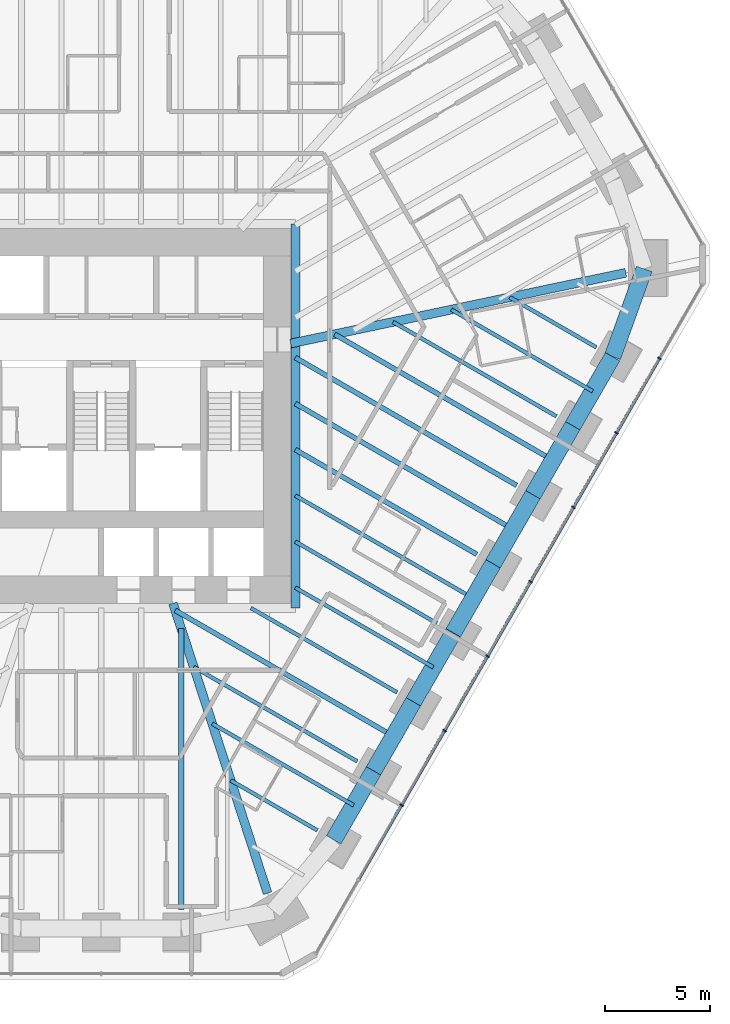
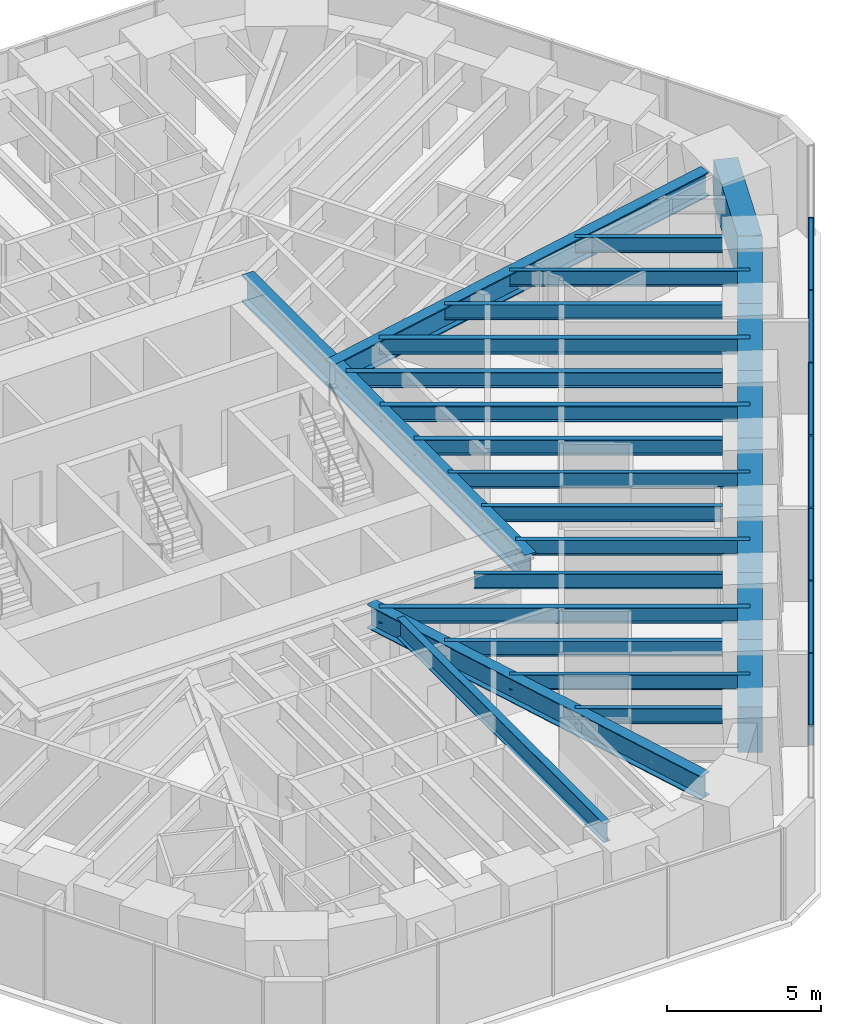
# One storey, part 5 of 17: 27 beams, 14 members, 1 element without a shape of its own.
"""IFC4 building model written with IfcOpenShell, lengths in metres."""

from ifc_helpers import new_model, si_unit, direction, frame, origin, origin_2d, place, context, subcontext, project, spatial, rectangle, i_section, extrude, material, material_profile, profile_set, type_object, element, aggregate, save


model = new_model("IFC4")

# Units and contexts
model_context = context("Model", 3, precision=1e-05, world=origin(), true_north=direction((0.0, 1.0)))
body_context = subcontext(model_context, "Body", "Model", "MODEL_VIEW")
ifc_project = project(units=[si_unit("LENGTHUNIT", "METRE"), si_unit("AREAUNIT", "SQUARE_METRE"), si_unit("VOLUMEUNIT", "CUBIC_METRE"), si_unit("PLANEANGLEUNIT", "RADIAN"), si_unit("MASSUNIT", "GRAM", prefix="KILO")], contexts=[model_context])

# Site, building, storey
site_placement = place(None, origin())
site = spatial("IfcSite", under=ifc_project, at=site_placement, CompositionType="ELEMENT")
building_placement = place(site_placement, origin())
building = spatial("IfcBuilding", under=site, at=building_placement, Name="Sandreach Pilgrim Tower", CompositionType="ELEMENT")
storey_placement = place(building_placement, frame((0.0, 0.0, 161.39990234375)))
storey = spatial("IfcBuildingStorey", under=building, at=storey_placement, Name="L40", CompositionType="ELEMENT", Elevation=161.39990234375)

# Curtain wall, members
ifc_material_1 = material(Name="Aluminium framed curtain wall", Category="aluminium")
curtain_wall_type = type_object("IfcCurtainWallType", Name="Hotel tower curtain wall", PredefinedType="NOTDEFINED", material=ifc_material_1)
curtain_wall_placement = place(storey_placement, origin())
curtain_wall = element("IfcCurtainWall", 1, at=curtain_wall_placement, inside=storey, type_object=curtain_wall_type, Name="CW-2 L40 SE", PredefinedType="NOTDEFINED")
ifc_material_2 = material(Name="Aluminium extrusion", Category="aluminium")
ifc_material_profile_1 = material_profile(ifc_material_2, rectangle(XDim=0.06494140625, YDim=0.179931640625, at=origin_2d()), Name="CW-2M 65X180")
ifc_profile_set_1 = profile_set([ifc_material_profile_1], Name="Aluminium extrusion")
member_type_1 = type_object("IfcMemberType", Name="CW-2 mullion", PredefinedType="MULLION", material=ifc_profile_set_1)
member_1_placement = place(storey_placement, frame((26.66748046875, 1.20166015625, 0.0), z_axis=(0.0, 0.0, 1.0), x_axis=(-0.5, -0.866025403784, 0.0)))
member_1 = element("IfcMember", 2, at=member_1_placement, type_object=member_type_1, Name="CW-2 mullion 2", PredefinedType="MULLION", context=body_context, shape_type="SweptSolid", body=[
    extrude(rectangle(XDim=0.06494140625, YDim=0.179931640625, at=origin_2d()), origin(), (0.0, 0.0, 1.0), 3.64013671875),
])
member_2_placement = place(storey_placement, frame((24.614013671875, -2.35498046875, 0.0), z_axis=(0.0, 0.0, 1.0), x_axis=(-0.5, -0.866025403784, 0.0)))
member_2 = element("IfcMember", 3, at=member_2_placement, type_object=member_type_1, Name="CW-2 mullion 3", PredefinedType="MULLION", context=body_context, shape_type="SweptSolid", body=[
    extrude(rectangle(XDim=0.06494140625, YDim=0.179931640625, at=origin_2d()), origin(), (0.0, 0.0, 1.0), 3.64013671875),
])
member_3_placement = place(storey_placement, frame((22.560302734375, -5.911865234375, 0.0), z_axis=(0.0, 0.0, 1.0), x_axis=(-0.5, -0.866025403784, 0.0)))
member_3 = element("IfcMember", 4, at=member_3_placement, type_object=member_type_1, Name="CW-2 mullion 4", PredefinedType="MULLION", context=body_context, shape_type="SweptSolid", body=[
    extrude(rectangle(XDim=0.06494140625, YDim=0.179931640625, at=origin_2d()), origin(), (0.0, 0.0, 1.0), 3.64013671875),
])
member_4_placement = place(storey_placement, frame((20.5068359375, -9.468505859375, 0.0), z_axis=(0.0, 0.0, 1.0), x_axis=(-0.5, -0.866025403784, 0.0)))
member_4 = element("IfcMember", 5, at=member_4_placement, type_object=member_type_1, Name="CW-2 mullion 5", PredefinedType="MULLION", context=body_context, shape_type="SweptSolid", body=[
    extrude(rectangle(XDim=0.06494140625, YDim=0.179931640625, at=origin_2d()), origin(), (0.0, 0.0, 1.0), 3.64013671875),
])
member_5_placement = place(storey_placement, frame((18.453369140625, -13.025146484375, 0.0), z_axis=(0.0, 0.0, 1.0), x_axis=(-0.5, -0.866025403784, 0.0)))
member_5 = element("IfcMember", 6, at=member_5_placement, type_object=member_type_1, Name="CW-2 mullion 6", PredefinedType="MULLION", context=body_context, shape_type="SweptSolid", body=[
    extrude(rectangle(XDim=0.06494140625, YDim=0.179931640625, at=origin_2d()), origin(), (0.0, 0.0, 1.0), 3.64013671875),
])
member_6_placement = place(storey_placement, frame((16.39990234375, -16.58203125, 0.0), z_axis=(0.0, 0.0, 1.0), x_axis=(-0.5, -0.866025403784, 0.0)))
member_6 = element("IfcMember", 7, at=member_6_placement, type_object=member_type_1, Name="CW-2 mullion 7", PredefinedType="MULLION", context=body_context, shape_type="SweptSolid", body=[
    extrude(rectangle(XDim=0.06494140625, YDim=0.179931640625, at=origin_2d()), origin(), (0.0, 0.0, 1.0), 3.64013671875),
])
member_7_placement = place(storey_placement, frame((14.346435546875, -20.138671875, 0.0), z_axis=(0.0, 0.0, 1.0), x_axis=(-0.5, -0.866025403784, 0.0)))
member_7 = element("IfcMember", 8, at=member_7_placement, type_object=member_type_1, Name="CW-2 mullion 8", PredefinedType="MULLION", context=body_context, shape_type="SweptSolid", body=[
    extrude(rectangle(XDim=0.06494140625, YDim=0.179931640625, at=origin_2d()), origin(), (0.0, 0.0, 1.0), 3.64013671875),
])
ifc_material_3 = material(Name="Aluminium extrusion", Category="aluminium")
ifc_material_profile_2 = material_profile(ifc_material_3, rectangle(XDim=0.139892578125, YDim=0.070068359375, at=origin_2d()), Name="CW-2T 140X70")
ifc_profile_set_2 = profile_set([ifc_material_profile_2], Name="Aluminium extrusion")
member_type_2 = type_object("IfcMemberType", Name="CW-2 transom", PredefinedType="USERDEFINED", material=ifc_profile_set_2)
member_8_placement = place(storey_placement, frame((26.651123046875, 1.173583984375, 3.60498046875), z_axis=(-0.499997818338, -0.866026663364, 0.0), x_axis=(0.866026663364, -0.499997818338, 0.0)))
member_8 = element("IfcMember", 9, at=member_8_placement, type_object=member_type_2, Name="CW-2 head transom 2", ObjectType="TRANSOM", PredefinedType="USERDEFINED", context=body_context, shape_type="SweptSolid", body=[
    extrude(rectangle(XDim=0.139892578125, YDim=0.070068359375, at=origin_2d()), origin(), (0.0, 0.0, 1.0), 4.0419921875),
])
member_9_placement = place(storey_placement, frame((24.59765625, -2.38330078125, 3.60498046875), z_axis=(-0.500023973715, -0.866011562111, 0.0), x_axis=(0.866011562111, -0.500023973715, 0.0)))
member_9 = element("IfcMember", 10, at=member_9_placement, type_object=member_type_2, Name="CW-2 head transom 3", ObjectType="TRANSOM", PredefinedType="USERDEFINED", context=body_context, shape_type="SweptSolid", body=[
    extrude(rectangle(XDim=0.139892578125, YDim=0.070068359375, at=origin_2d()), origin(), (0.0, 0.0, 1.0), 4.041748046875),
])
member_10_placement = place(storey_placement, frame((22.544189453125, -5.93994140625, 3.60498046875), z_axis=(-0.499997818338, -0.866026663364, 0.0), x_axis=(0.866026663364, -0.499997818338, 0.0)))
member_10 = element("IfcMember", 11, at=member_10_placement, type_object=member_type_2, Name="CW-2 head transom 4", ObjectType="TRANSOM", PredefinedType="USERDEFINED", context=body_context, shape_type="SweptSolid", body=[
    extrude(rectangle(XDim=0.139892578125, YDim=0.070068359375, at=origin_2d()), origin(), (0.0, 0.0, 1.0), 4.0419921875),
])
member_11_placement = place(storey_placement, frame((20.49072265625, -9.49658203125, 3.60498046875), z_axis=(-0.499997818338, -0.866026663364, 0.0), x_axis=(0.866026663364, -0.499997818338, 0.0)))
member_11 = element("IfcMember", 12, at=member_11_placement, type_object=member_type_2, Name="CW-2 head transom 5", ObjectType="TRANSOM", PredefinedType="USERDEFINED", context=body_context, shape_type="SweptSolid", body=[
    extrude(rectangle(XDim=0.139892578125, YDim=0.070068359375, at=origin_2d()), origin(), (0.0, 0.0, 1.0), 4.0419921875),
])
member_12_placement = place(storey_placement, frame((18.437255859375, -13.053466796875, 3.60498046875), z_axis=(-0.499997818338, -0.866026663364, 0.0), x_axis=(0.866026663364, -0.499997818338, 0.0)))
member_12 = element("IfcMember", 13, at=member_12_placement, type_object=member_type_2, Name="CW-2 head transom 6", ObjectType="TRANSOM", PredefinedType="USERDEFINED", context=body_context, shape_type="SweptSolid", body=[
    extrude(rectangle(XDim=0.139892578125, YDim=0.070068359375, at=origin_2d()), origin(), (0.0, 0.0, 1.0), 4.0419921875),
])
member_13_placement = place(storey_placement, frame((16.3837890625, -16.610107421875, 3.60498046875), z_axis=(-0.499997818338, -0.866026663364, 0.0), x_axis=(0.866026663364, -0.499997818338, 0.0)))
member_13 = element("IfcMember", 14, at=member_13_placement, type_object=member_type_2, Name="CW-2 head transom 7", ObjectType="TRANSOM", PredefinedType="USERDEFINED", context=body_context, shape_type="SweptSolid", body=[
    extrude(rectangle(XDim=0.139892578125, YDim=0.070068359375, at=origin_2d()), origin(), (0.0, 0.0, 1.0), 4.0419921875),
])
member_14_placement = place(storey_placement, frame((14.330322265625, -20.1669921875, 3.60498046875), z_axis=(-0.500023973715, -0.866011562111, 0.0), x_axis=(0.866011562111, -0.500023973715, 0.0)))
member_14 = element("IfcMember", 15, at=member_14_placement, type_object=member_type_2, Name="CW-2 head transom 8", ObjectType="TRANSOM", PredefinedType="USERDEFINED", context=body_context, shape_type="SweptSolid", body=[
    extrude(rectangle(XDim=0.139892578125, YDim=0.070068359375, at=origin_2d()), origin(), (0.0, 0.0, 1.0), 4.041748046875),
])
aggregate(curtain_wall, [member_1, member_2, member_3, member_4, member_5, member_6, member_7, member_8, member_9, member_10, member_11, member_12, member_13, member_14])

# Beams
ifc_material_4 = material(Name="Steel ASTM A992 Grade 50", Category="steel")
ifc_material_profile_3 = material_profile(ifc_material_4, i_section(OverallWidth=0.424072265625, OverallDepth=1.09228515625, WebThickness=0.04541015625, FlangeThickness=0.08203125, at=origin_2d()), Name="W40X593")
ifc_profile_set_3 = profile_set([ifc_material_profile_3], Name="Steel ASTM A992 Grade 50")
beam_type_1 = type_object("IfcBeamType", Name="Core edge beam W40X593", PredefinedType="BEAM", material=ifc_profile_set_3)
beam_1_placement = place(storey_placement, frame((9.27197265625, 7.6220703125, 3.093994140625), z_axis=(0.0, -1.0, 0.0), x_axis=(1.0, 0.0, 0.0)))
element("IfcBeam", 16, at=beam_1_placement, inside=storey, type_object=beam_type_1, Name="BM L40 CEE", PredefinedType="BEAM", context=body_context, shape_type="SweptSolid", body=[
    extrude(i_section(OverallWidth=0.424072265625, OverallDepth=1.09228515625, WebThickness=0.04541015625, FlangeThickness=0.08203125, at=origin_2d()), origin(), (0.0, 0.0, 1.0), 18.34423828125),
])
ifc_material_5 = material(Name="Steel ASTM A992 Grade 50", Category="steel")
ifc_material_profile_4 = material_profile(ifc_material_5, i_section(OverallWidth=0.419189453125, OverallDepth=0.927001953125, WebThickness=0.019287109375, FlangeThickness=0.031982421875, at=origin_2d()), Name="W36X231")
ifc_profile_set_4 = profile_set([ifc_material_profile_4], Name="Steel ASTM A992 Grade 50")
beam_type_2 = type_object("IfcBeamType", Name="Corner girder W36X231", PredefinedType="BEAM", material=ifc_profile_set_4)
beam_2_placement = place(storey_placement, frame((7.94775390625, -24.34814453125, 3.176513671875), z_axis=(-0.310303802379, 0.950637444155, 0.0), x_axis=(-0.950637444155, -0.310303802379, 0.0)))
element("IfcBeam", 17, at=beam_2_placement, inside=storey, type_object=beam_type_2, Name="BM L40 CG22", PredefinedType="BEAM", context=body_context, shape_type="SweptSolid", body=[
    extrude(i_section(OverallWidth=0.419189453125, OverallDepth=0.927001953125, WebThickness=0.019287109375, FlangeThickness=0.031982421875, at=origin_2d()), origin(), (0.0, 0.0, 1.0), 14.567138671875),
])
ifc_material_6 = material(Name="Steel ASTM A992 Grade 50", Category="steel")
ifc_material_profile_5 = material_profile(ifc_material_6, i_section(OverallWidth=0.421630859375, OverallDepth=0.95751953125, WebThickness=0.02587890625, FlangeThickness=0.046875, at=origin_2d()), Name="W36X330")
ifc_profile_set_5 = profile_set([ifc_material_profile_5], Name="Steel ASTM A992 Grade 50")
beam_type_3 = type_object("IfcBeamType", Name="Corner girder W36X330", PredefinedType="BEAM", material=ifc_profile_set_5)
beam_3_placement = place(storey_placement, frame((25.06005859375, 5.291015625, 3.161376953125), z_axis=(-0.978428353418, -0.206586440085, 0.0), x_axis=(0.206586440085, -0.978428353418, 0.0)))
element("IfcBeam", 18, at=beam_3_placement, inside=storey, type_object=beam_type_3, Name="BM L40 CG13", PredefinedType="BEAM", context=body_context, shape_type="SweptSolid", body=[
    extrude(i_section(OverallWidth=0.421630859375, OverallDepth=0.95751953125, WebThickness=0.02587890625, FlangeThickness=0.046875, at=origin_2d()), origin(), (0.0, 0.0, 1.0), 16.363037109375),
])
ifc_material_7 = material(Name="Steel ASTM A992 Grade 50", Category="steel")
ifc_material_profile_6 = material_profile(ifc_material_7, i_section(OverallWidth=0.1787109375, OverallDepth=0.60205078125, WebThickness=0.010986328125, FlangeThickness=0.014892578125, at=origin_2d()), Name="W24X62")
ifc_profile_set_6 = profile_set([ifc_material_profile_6], Name="Steel ASTM A992 Grade 50")
beam_type_4 = type_object("IfcBeamType", Name="Floor beam W24X62", PredefinedType="BEAM", material=ifc_profile_set_6)
beam_4_placement = place(storey_placement, frame((23.6484375, 1.73046875, 3.339111328125), z_axis=(-0.866011131494, 0.500024719518, 0.0), x_axis=(-0.500024719518, -0.866011131494, 0.0)))
element("IfcBeam", 19, at=beam_4_placement, inside=storey, type_object=beam_type_4, Name="BM L40 F14", PredefinedType="BEAM", context=body_context, shape_type="SweptSolid", body=[
    extrude(i_section(OverallWidth=0.1787109375, OverallDepth=0.60205078125, WebThickness=0.010986328125, FlangeThickness=0.014892578125, at=origin_2d()), origin(), (0.0, 0.0, 1.0), 4.777587890625),
])
beam_5_placement = place(storey_placement, frame((21.7451171875, -1.56591796875, 3.339111328125), z_axis=(-0.866025063885, 0.500000588723, 0.0), x_axis=(-0.500000588723, -0.866025063885, 0.0)))
element("IfcBeam", 20, at=beam_5_placement, inside=storey, type_object=beam_type_4, Name="BM L40 F15", PredefinedType="BEAM", context=body_context, shape_type="SweptSolid", body=[
    extrude(i_section(OverallWidth=0.1787109375, OverallDepth=0.60205078125, WebThickness=0.010986328125, FlangeThickness=0.014892578125, at=origin_2d()), origin(), (0.0, 0.0, 1.0), 9.0166015625),
])
beam_6_placement = place(storey_placement, frame((16.035400390625, -11.455810546875, 3.339111328125), z_axis=(-0.866029931811, 0.499992157145, 0.0), x_axis=(-0.499992157145, -0.866029931811, 0.0)))
element("IfcBeam", 21, at=beam_6_placement, inside=storey, type_object=beam_type_4, Name="BM L40 F18", PredefinedType="BEAM", context=body_context, shape_type="SweptSolid", body=[
    extrude(i_section(OverallWidth=0.1787109375, OverallDepth=0.60205078125, WebThickness=0.010986328125, FlangeThickness=0.014892578125, at=origin_2d()), origin(), (0.0, 0.0, 1.0), 7.809814453125),
])
beam_7_placement = place(storey_placement, frame((14.132080078125, -14.75244140625, 3.339111328125), z_axis=(-0.866020143075, 0.500009111705, 0.0), x_axis=(-0.500009111705, -0.866020143075, 0.0)))
element("IfcBeam", 22, at=beam_7_placement, inside=storey, type_object=beam_type_4, Name="BM L40 F19", PredefinedType="BEAM", context=body_context, shape_type="SweptSolid", body=[
    extrude(i_section(OverallWidth=0.1787109375, OverallDepth=0.60205078125, WebThickness=0.010986328125, FlangeThickness=0.014892578125, at=origin_2d()), origin(), (0.0, 0.0, 1.0), 8.060302734375),
])
beam_8_placement = place(storey_placement, frame((12.228759765625, -18.048828125, 3.339111328125), z_axis=(-0.866031832868, 0.499988864335, 0.0), x_axis=(-0.499988864335, -0.866031832868, 0.0)))
element("IfcBeam", 23, at=beam_8_placement, inside=storey, type_object=beam_type_4, Name="BM L40 F20", PredefinedType="BEAM", context=body_context, shape_type="SweptSolid", body=[
    extrude(i_section(OverallWidth=0.1787109375, OverallDepth=0.60205078125, WebThickness=0.010986328125, FlangeThickness=0.014892578125, at=origin_2d()), origin(), (0.0, 0.0, 1.0), 9.016845703125),
])
beam_9_placement = place(storey_placement, frame((10.325439453125, -21.345458984375, 3.339111328125), z_axis=(-0.866033259386, 0.499986393452, 0.0), x_axis=(-0.499986393452, -0.866033259386, 0.0)))
element("IfcBeam", 24, at=beam_9_placement, inside=storey, type_object=beam_type_4, Name="BM L40 F21", PredefinedType="BEAM", context=body_context, shape_type="SweptSolid", body=[
    extrude(i_section(OverallWidth=0.1787109375, OverallDepth=0.60205078125, WebThickness=0.010986328125, FlangeThickness=0.014892578125, at=origin_2d()), origin(), (0.0, 0.0, 1.0), 4.777587890625),
])
beam_10_placement = place(storey_placement, frame((23.476318359375, -0.36767578125, 3.339111328125), z_axis=(-0.866024469579, 0.500001618088, 0.0), x_axis=(-0.500001618088, -0.866024469579, 0.0)))
element("IfcBeam", 25, at=beam_10_placement, inside=storey, type_object=beam_type_4, Name="BM L40 FM14", PredefinedType="BEAM", context=body_context, shape_type="SweptSolid", body=[
    extrude(i_section(OverallWidth=0.1787109375, OverallDepth=0.60205078125, WebThickness=0.010986328125, FlangeThickness=0.014892578125, at=origin_2d()), origin(), (0.0, 0.0, 1.0), 7.79736328125),
])
beam_11_placement = place(storey_placement, frame((17.766357421875, -10.257568359375, 3.339111328125), z_axis=(-0.86602268681, 0.500004705908, 0.0), x_axis=(-0.500004705908, -0.86602268681, 0.0)))
element("IfcBeam", 26, at=beam_11_placement, inside=storey, type_object=beam_type_4, Name="BM L40 FM17", PredefinedType="BEAM", context=body_context, shape_type="SweptSolid", body=[
    extrude(i_section(OverallWidth=0.1787109375, OverallDepth=0.60205078125, WebThickness=0.010986328125, FlangeThickness=0.014892578125, at=origin_2d()), origin(), (0.0, 0.0, 1.0), 9.80859375),
])
beam_12_placement = place(storey_placement, frame((15.86328125, -13.553955078125, 3.339111328125), z_axis=(-0.866043496152, 0.499968661791, 0.0), x_axis=(-0.499968661791, -0.866043496152, 0.0)))
element("IfcBeam", 27, at=beam_12_placement, inside=storey, type_object=beam_type_4, Name="BM L40 FM18", PredefinedType="BEAM", context=body_context, shape_type="SweptSolid", body=[
    extrude(i_section(OverallWidth=0.1787109375, OverallDepth=0.60205078125, WebThickness=0.010986328125, FlangeThickness=0.014892578125, at=origin_2d()), origin(), (0.0, 0.0, 1.0), 7.61083984375),
])
beam_13_placement = place(storey_placement, frame((12.056640625, -20.147216796875, 3.339111328125), z_axis=(-0.866024469579, 0.500001618088, 0.0), x_axis=(-0.500001618088, -0.866024469579, 0.0)))
element("IfcBeam", 28, at=beam_13_placement, inside=storey, type_object=beam_type_4, Name="BM L40 FM20", PredefinedType="BEAM", context=body_context, shape_type="SweptSolid", body=[
    extrude(i_section(OverallWidth=0.1787109375, OverallDepth=0.60205078125, WebThickness=0.010986328125, FlangeThickness=0.014892578125, at=origin_2d()), origin(), (0.0, 0.0, 1.0), 7.79736328125),
])
ifc_material_8 = material(Name="Steel ASTM A992 Grade 50", Category="steel")
ifc_material_profile_7 = material_profile(ifc_material_8, i_section(OverallWidth=0.23046875, OverallDepth=0.6171875, WebThickness=0.01318359375, FlangeThickness=0.022216796875, at=origin_2d()), Name="W24X94")
ifc_profile_set_7 = profile_set([ifc_material_profile_7], Name="Steel ASTM A992 Grade 50")
beam_type_5 = type_object("IfcBeamType", Name="Floor beam W24X94", PredefinedType="BEAM", material=ifc_profile_set_7)
beam_14_placement = place(storey_placement, frame((19.842041015625, -4.862548828125, 3.33154296875), z_axis=(-0.866028694325, 0.499994300574, 0.0), x_axis=(-0.499994300574, -0.866028694325, 0.0)))
element("IfcBeam", 29, at=beam_14_placement, inside=storey, type_object=beam_type_5, Name="BM L40 F16", PredefinedType="BEAM", context=body_context, shape_type="SweptSolid", body=[
    extrude(i_section(OverallWidth=0.23046875, OverallDepth=0.6171875, WebThickness=0.01318359375, FlangeThickness=0.022216796875, at=origin_2d()), origin(), (0.0, 0.0, 1.0), 12.205322265625),
])
beam_15_placement = place(storey_placement, frame((17.938720703125, -8.1591796875, 3.33154296875), z_axis=(-0.866029177185, 0.499993464222, 0.0), x_axis=(-0.499993464222, -0.866029177185, 0.0)))
element("IfcBeam", 30, at=beam_15_placement, inside=storey, type_object=beam_type_5, Name="BM L40 F17", PredefinedType="BEAM", context=body_context, shape_type="SweptSolid", body=[
    extrude(i_section(OverallWidth=0.23046875, OverallDepth=0.6171875, WebThickness=0.01318359375, FlangeThickness=0.022216796875, at=origin_2d()), origin(), (0.0, 0.0, 1.0), 10.007568359375),
])
beam_16_placement = place(storey_placement, frame((21.572998046875, -3.664306640625, 3.33154296875), z_axis=(-0.866021425885, 0.500006889861, 0.0), x_axis=(-0.500006889861, -0.866021425885, 0.0)))
element("IfcBeam", 31, at=beam_16_placement, inside=storey, type_object=beam_type_5, Name="BM L40 FM15", PredefinedType="BEAM", context=body_context, shape_type="SweptSolid", body=[
    extrude(i_section(OverallWidth=0.23046875, OverallDepth=0.6171875, WebThickness=0.01318359375, FlangeThickness=0.022216796875, at=origin_2d()), origin(), (0.0, 0.0, 1.0), 12.036376953125),
])
beam_17_placement = place(storey_placement, frame((19.669677734375, -6.9609375, 3.33154296875), z_axis=(-0.866023384022, 0.500003498315, 0.0), x_axis=(-0.500003498315, -0.866023384022, 0.0)))
element("IfcBeam", 32, at=beam_17_placement, inside=storey, type_object=beam_type_5, Name="BM L40 FM16", PredefinedType="BEAM", context=body_context, shape_type="SweptSolid", body=[
    extrude(i_section(OverallWidth=0.23046875, OverallDepth=0.6171875, WebThickness=0.01318359375, FlangeThickness=0.022216796875, at=origin_2d()), origin(), (0.0, 0.0, 1.0), 12.00634765625),
])
beam_18_placement = place(storey_placement, frame((13.9599609375, -16.8505859375, 3.33154296875), z_axis=(-0.866035279512, 0.499982894348, 0.0), x_axis=(-0.499982894348, -0.866035279512, 0.0)))
element("IfcBeam", 33, at=beam_18_placement, inside=storey, type_object=beam_type_5, Name="BM L40 FM19", PredefinedType="BEAM", context=body_context, shape_type="SweptSolid", body=[
    extrude(i_section(OverallWidth=0.23046875, OverallDepth=0.6171875, WebThickness=0.01318359375, FlangeThickness=0.022216796875, at=origin_2d()), origin(), (0.0, 0.0, 1.0), 12.03662109375),
])
ifc_material_9 = material(Name="Steel ASTM A992 Grade 50", Category="steel")
ifc_material_profile_8 = material_profile(ifc_material_9, i_section(OverallWidth=0.2666015625, OverallDepth=0.761962890625, WebThickness=0.014404296875, FlangeThickness=0.021484375, at=origin_2d()), Name="W30X116")
ifc_profile_set_8 = profile_set([ifc_material_profile_8], Name="Steel ASTM A992 Grade 50")
beam_type_6 = type_object("IfcBeamType", Name="Floor beam W30X116", PredefinedType="BEAM", material=ifc_profile_set_8)
beam_19_placement = place(storey_placement, frame((3.8232421875, -25.133544921875, 3.259033203125), z_axis=(0.0, 1.0, 0.0), x_axis=(-1.0, 0.0, 0.0)))
element("IfcBeam", 34, at=beam_19_placement, inside=storey, type_object=beam_type_6, Name="BM L40 F23", PredefinedType="BEAM", context=body_context, shape_type="SweptSolid", body=[
    extrude(i_section(OverallWidth=0.2666015625, OverallDepth=0.761962890625, WebThickness=0.014404296875, FlangeThickness=0.021484375, at=origin_2d()), origin(), (0.0, 0.0, 1.0), 13.421142578125),
])
ifc_material_10 = material(Name="Concrete 10000 psi", Category="concrete")
ifc_material_profile_9 = material_profile(ifc_material_10, rectangle(XDim=0.800048828125, YDim=1.800048828125, at=origin_2d()), Name="RC800X1800")
ifc_profile_set_9 = profile_set([ifc_material_profile_9], Name="Concrete 10000 psi")
beam_type_7 = type_object("IfcBeamType", Name="Spandrel beam RC800X1800", PredefinedType="SPANDREL", material=ifc_profile_set_9)
beam_20_placement = place(storey_placement, frame((25.940673828125, 5.476806640625, 2.739990234375), z_axis=(-0.339122566073, -0.940742199107, 0.0), x_axis=(0.940742199107, -0.339122566073, 0.0)))
element("IfcBeam", 35, at=beam_20_placement, inside=storey, type_object=beam_type_7, Name="BM L40 SP13", PredefinedType="SPANDREL", context=body_context, shape_type="SweptSolid", body=[
    extrude(rectangle(XDim=0.800048828125, YDim=1.800048828125, at=origin_2d()), origin(), (0.0, 0.0, 1.0), 4.460693359375),
])
beam_21_placement = place(storey_placement, frame((24.427978515625, 1.280517578125, 2.739990234375), z_axis=(-0.500001891126, -0.866024311939, 0.0), x_axis=(0.866024311939, -0.500001891126, 0.0)))
element("IfcBeam", 36, at=beam_21_placement, inside=storey, type_object=beam_type_7, Name="BM L40 SP14", PredefinedType="SPANDREL", context=body_context, shape_type="SweptSolid", body=[
    extrude(rectangle(XDim=0.800048828125, YDim=1.800048828125, at=origin_2d()), origin(), (0.0, 0.0, 1.0), 3.806640625),
])
beam_22_placement = place(storey_placement, frame((22.524658203125, -2.01611328125, 2.739990234375), z_axis=(-0.500029664053, -0.866008276558, 0.0), x_axis=(0.866008276558, -0.500029664053, 0.0)))
element("IfcBeam", 37, at=beam_22_placement, inside=storey, type_object=beam_type_7, Name="BM L40 SP15", PredefinedType="SPANDREL", context=body_context, shape_type="SweptSolid", body=[
    extrude(rectangle(XDim=0.800048828125, YDim=1.800048828125, at=origin_2d()), origin(), (0.0, 0.0, 1.0), 3.806396484375),
])
for number, where, z_axis, x_axis, name in (
    (38, (20.621337890625, -5.3125, 2.739990234375), (-0.500001891126, -0.866024311939, 0.0), (0.866024311939, -0.500001891126, 0.0), "BM L40 SP16"),
    (39, (18.718017578125, -8.609130859375, 2.739990234375), (-0.500001891126, -0.866024311939, 0.0), (0.866024311939, -0.500001891126, 0.0), "BM L40 SP17"),
):
    element("IfcBeam", number, at=place(storey_placement, frame(where, z_axis=z_axis, x_axis=x_axis)), inside=storey, type_object=beam_type_7, Name=name, PredefinedType="SPANDREL", context=body_context, shape_type="SweptSolid", body=[
        extrude(rectangle(XDim=0.800048828125, YDim=1.800048828125, at=origin_2d()), origin(), (0.0, 0.0, 1.0), 3.806640625),
    ])
beam_23_placement = place(storey_placement, frame((16.814697265625, -11.90576171875, 2.739990234375), z_axis=(-0.499953787161, -0.866052083135, 0.0), x_axis=(0.866052083135, -0.499953787161, 0.0)))
element("IfcBeam", 40, at=beam_23_placement, inside=storey, type_object=beam_type_7, Name="BM L40 SP18", PredefinedType="SPANDREL", context=body_context, shape_type="SweptSolid", body=[
    extrude(rectangle(XDim=0.800048828125, YDim=1.800048828125, at=origin_2d()), origin(), (0.0, 0.0, 1.0), 3.806396484375),
])
beam_24_placement = place(storey_placement, frame((14.91162109375, -15.202392578125, 2.739990234375), z_axis=(-0.500001891126, -0.866024311939, 0.0), x_axis=(0.866024311939, -0.500001891126, 0.0)))
element("IfcBeam", 41, at=beam_24_placement, inside=storey, type_object=beam_type_7, Name="BM L40 SP19", PredefinedType="SPANDREL", context=body_context, shape_type="SweptSolid", body=[
    extrude(rectangle(XDim=0.800048828125, YDim=1.800048828125, at=origin_2d()), origin(), (0.0, 0.0, 1.0), 3.806640625),
])
beam_25_placement = place(storey_placement, frame((13.00830078125, -18.4990234375, 2.739990234375), z_axis=(-0.500029664053, -0.866008276558, 0.0), x_axis=(0.866008276558, -0.500029664053, 0.0)))
element("IfcBeam", 42, at=beam_25_placement, inside=storey, type_object=beam_type_7, Name="BM L40 SP20", PredefinedType="SPANDREL", context=body_context, shape_type="SweptSolid", body=[
    extrude(rectangle(XDim=0.800048828125, YDim=1.800048828125, at=origin_2d()), origin(), (0.0, 0.0, 1.0), 3.806396484375),
])

save(model, "model.ifc")
